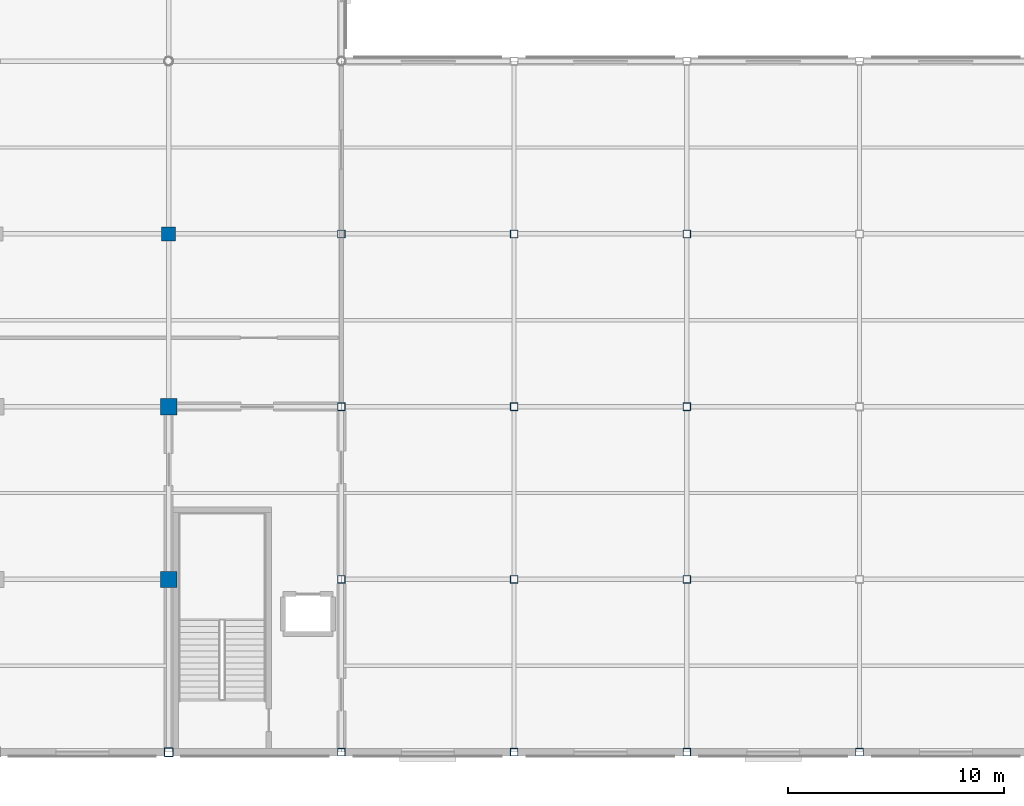
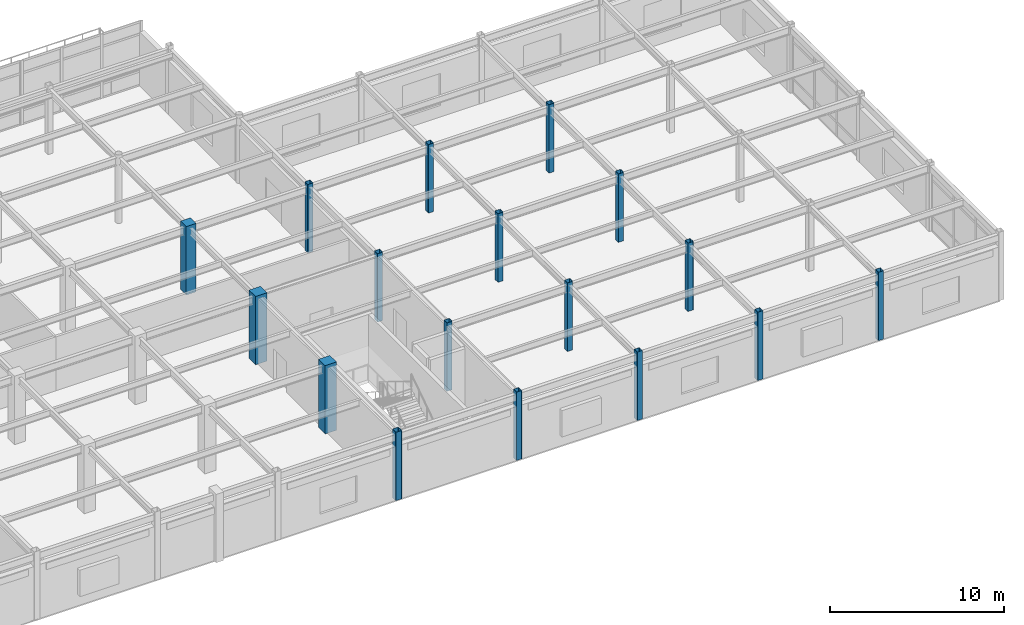
# One storey, part 17 of 117: 17 columns.
"""IFC4 building model written with IfcOpenShell, lengths in metres."""

import ifcopenshell
import ifcopenshell.guid

model = None  # the IFC model being written
_history = None  # IfcOwnerHistory: only IFC2X3 demands one
_inside = {}  # id of a spatial element -> (the spatial element, [elements in it])
_under = {}  # id of a project, library or spatial element -> (it, [spatial elements below it])
_declared = {}  # id of a project -> (the project, [libraries it declares])
_typed = {}  # id of a type object -> (the type object, [elements of that type])
_made_of = {}  # id of a material, layer set ... -> (it, [elements and type objects made of it])


def new_model(schema):
    """Start an empty IFC model of exactly this schema.

    Asked for "IFC4X3", IfcOpenShell would pick the latest addendum, in which some entities
    have other attributes; the version numbers below select the first issue.
    IFC2X3 requires an IfcOwnerHistory on every rooted entity: one is made here for all.
    """
    global model, _history
    if schema == "IFC4X3":
        model = ifcopenshell.file(schema_version=(4, 3, 0, 0))
    else:
        model = ifcopenshell.file(schema=schema)
    _inside.clear()
    _under.clear()
    _declared.clear()
    _typed.clear()
    _made_of.clear()
    _history = None
    if model.schema == "IFC2X3":
        org = make("IfcOrganization", Name="unknown")
        user = make(
            "IfcPersonAndOrganization",
            ThePerson=make("IfcPerson", FamilyName="unknown"),
            TheOrganization=org,
        )
        app = make(
            "IfcApplication",
            ApplicationDeveloper=org,
            Version="unknown",
            ApplicationFullName="unknown",
            ApplicationIdentifier="unknown",
        )
        _history = make(
            "IfcOwnerHistory",
            OwningUser=user,
            OwningApplication=app,
            ChangeAction="ADDED",
            CreationDate=0,
        )
    return model


def make(cls, **values):
    """One entity of the class cls with the attributes given. An attribute that is None is left unset."""
    return model.create_entity(
        cls, **{name: value for name, value in values.items() if value is not None}
    )


def rooted(cls, **values):
    """An entity with a GlobalId (a new one), such as an element, a storey or a relation."""
    return make(cls, GlobalId=ifcopenshell.guid.new(), OwnerHistory=_history, **values)


def si_unit(unit_type, name, prefix=None):
    """IfcSIUnit, for example si_unit("LENGTHUNIT", "METRE", prefix="MILLI")."""
    return make("IfcSIUnit", UnitType=unit_type, Prefix=prefix, Name=name)


def assignment(units):
    """IfcUnitAssignment: the units of a project."""
    return None if units is None else make("IfcUnitAssignment", Units=units)


def point(xyz):
    """IfcCartesianPoint."""
    return None if xyz is None else make("IfcCartesianPoint", Coordinates=xyz)


def direction(xyz):
    """IfcDirection."""
    return None if xyz is None else make("IfcDirection", DirectionRatios=xyz)


def frame(location, z_axis=None, x_axis=None):
    """IfcAxis2Placement3D, a coordinate frame: its origin and axes. An axis left out is left unset."""
    return make(
        "IfcAxis2Placement3D",
        Location=point(location),
        Axis=direction(z_axis),
        RefDirection=direction(x_axis),
    )


def frame_2d(location, x_axis=None):
    """IfcAxis2Placement2D, a coordinate frame in the plane: its origin and x axis."""
    return make(
        "IfcAxis2Placement2D", Location=point(location), RefDirection=direction(x_axis)
    )


def origin():
    """The frame at (0, 0, 0) with its axes left unset."""
    return frame((0.0, 0.0, 0.0))


def origin_2d():
    """The frame at (0, 0) in the plane with its x axis left unset."""
    return frame_2d((0.0, 0.0))


def place(relative_to, where):
    """IfcLocalPlacement: puts the frame where relative to a parent placement (None: the world)."""
    return make(
        "IfcLocalPlacement", PlacementRelTo=relative_to, RelativePlacement=where
    )


def context(
    kind, dimensions, precision=None, world=None, true_north=None, identifier=None
):
    """IfcGeometricRepresentationContext, for example the 3D "Model" context."""
    return make(
        "IfcGeometricRepresentationContext",
        ContextIdentifier=identifier,
        ContextType=kind,
        CoordinateSpaceDimension=dimensions,
        Precision=precision,
        WorldCoordinateSystem=world,
        TrueNorth=true_north,
    )


def subcontext(parent, identifier, kind, view, scale=None):
    """IfcGeometricRepresentationSubContext, for example "Body" below "Model"."""
    return make(
        "IfcGeometricRepresentationSubContext",
        ContextIdentifier=identifier,
        ContextType=kind,
        ParentContext=parent,
        TargetScale=scale,
        TargetView=view,
    )


def project(units=None, contexts=None):
    """IfcProject with its units and contexts."""
    return rooted(
        "IfcProject",
        Name="project",
        RepresentationContexts=contexts,
        UnitsInContext=assignment(units),
    )


def spatial(cls, under=None, at=None, **own):
    """A site, building, storey or space (cls), placed at a placement, below another one or the project."""
    s = rooted(cls, ObjectPlacement=at, **own)
    if under is not None:
        _under.setdefault(under.id(), (under, []))[1].append(s)
    return s


def profile(cls, at=None, kind="AREA", **sizes):
    """A parametric profile (cls). Its sizes go by their IFC names, for example OverallWidth=200.0."""
    return make(cls, ProfileType=kind, Position=at, **sizes)


def rectangle(**sizes):
    """IfcRectangleProfileDef."""
    return profile("IfcRectangleProfileDef", **sizes)


def hollow_rectangle(**sizes):
    """IfcRectangleHollowProfileDef."""
    return profile("IfcRectangleHollowProfileDef", **sizes)


def extrude(swept, where, along, depth):
    """IfcExtrudedAreaSolid: the profile swept, set in the frame where, extruded along a direction by depth."""
    return make(
        "IfcExtrudedAreaSolid",
        SweptArea=swept,
        Position=where,
        ExtrudedDirection=direction(along),
        Depth=depth,
    )


def shape(context_of_items, identifier, shape_type, items):
    """IfcShapeRepresentation: the items that make up one representation, for example the "Body"."""
    return make(
        "IfcShapeRepresentation",
        ContextOfItems=context_of_items,
        RepresentationIdentifier=identifier,
        RepresentationType=shape_type,
        Items=items,
    )


def material(Name=None, Category=None):
    """IfcMaterial."""
    return make("IfcMaterial", Name=Name, Category=Category)


def material_profile(
    of_material, cross_section, Name=None, Category=None, Priority=None
):
    """IfcMaterialProfile: a cross section and its material."""
    return make(
        "IfcMaterialProfile",
        Name=Name,
        Material=of_material,
        Profile=cross_section,
        Priority=Priority,
        Category=Category,
    )


def profile_set(profiles, Name=None, composite=None):
    """IfcMaterialProfileSet."""
    return make(
        "IfcMaterialProfileSet",
        Name=Name,
        MaterialProfiles=profiles,
        CompositeProfile=composite,
    )


def made_of(thing, what):
    """Note that an element or type object is made of a material, layer set ...; save() writes the relation."""
    if what is not None:
        _made_of.setdefault(what.id(), (what, []))[1].append(thing)
    return thing


def type_object(cls, material=None, **own):
    """A type object (cls), such as IfcWallType, which elements share."""
    return made_of(rooted(cls, **own), material)


def element(
    cls,
    number,
    at=None,
    inside=None,
    cuts=None,
    type_object=None,
    material=None,
    context=None,
    identifier="Body",
    shape_type=None,
    held_by="IfcProductDefinitionShape",
    body=None,
    shapes=None,
    **own,
):
    """One element of the class cls, such as IfcWall. Its Tag is "e" and its number.

    at: its placement. inside: the storey or other place that contains it. cuts: it is an
    opening in that element (IfcRelVoidsElement). A single representation is given by context,
    identifier, shape_type and body (its items); several are given by shapes. held_by: the class
    of the entity that holds the representations. save() writes the other relations.
    """
    e = rooted(cls, Tag="e%d" % number, ObjectPlacement=at, **own)
    if body is not None:
        shapes = [shape(context, identifier, shape_type, body)]
    if shapes is not None:
        e.Representation = make(held_by, Representations=shapes)
    if inside is not None:
        _inside.setdefault(inside.id(), (inside, []))[1].append(e)
    if cuts is not None:
        rooted(
            "IfcRelVoidsElement", RelatingBuildingElement=cuts, RelatedOpeningElement=e
        )
    if type_object is not None:
        _typed.setdefault(type_object.id(), (type_object, []))[1].append(e)
    return made_of(e, material)


def aggregate(whole, parts):
    """IfcRelAggregates: a whole, such as a stair, and the parts it consists of."""
    return rooted("IfcRelAggregates", RelatingObject=whole, RelatedObjects=parts)


def save(model, path):
    """Write the relations noted so far, then the file.

    IfcRelAggregates (storeys below a building ...), IfcRelContainedInSpatialStructure (elements
    in a storey), IfcRelDefinesByType, IfcRelAssociatesMaterial and IfcRelDeclares: one each for
    every whole, place, type object, material and project.
    """
    for whole, parts in _under.values():
        aggregate(whole, parts)
    for where, things in _inside.values():
        rooted(
            "IfcRelContainedInSpatialStructure",
            RelatedElements=things,
            RelatingStructure=where,
        )
    for kind, things in _typed.values():
        rooted("IfcRelDefinesByType", RelatedObjects=things, RelatingType=kind)
    for what, things in _made_of.values():
        rooted("IfcRelAssociatesMaterial", RelatedObjects=things, RelatingMaterial=what)
    for by, libraries in _declared.values():
        rooted("IfcRelDeclares", RelatingContext=by, RelatedDefinitions=libraries)
    model.write(path)


model = new_model("IFC4")

# Units and contexts
model_context = context("Model", 3, precision=1e-05, world=origin(), true_north=direction((0.0, 1.0)))
body_context = subcontext(model_context, "Body", "Model", "MODEL_VIEW")
ifc_project = project(units=[si_unit("LENGTHUNIT", "METRE"), si_unit("AREAUNIT", "SQUARE_METRE"), si_unit("VOLUMEUNIT", "CUBIC_METRE"), si_unit("PLANEANGLEUNIT", "RADIAN"), si_unit("MASSUNIT", "GRAM", prefix="KILO")], contexts=[model_context])

# Site, building, storey
site_placement = place(None, origin())
site = spatial("IfcSite", under=ifc_project, at=site_placement, CompositionType="ELEMENT")
building_placement = place(site_placement, origin())
building = spatial("IfcBuilding", under=site, at=building_placement, Name="Solmirada Galleria", CompositionType="ELEMENT")
storey_placement = place(building_placement, frame((0.0, 0.0, 5.60009765625)))
storey = spatial("IfcBuildingStorey", under=building, at=storey_placement, Name="L01", CompositionType="ELEMENT", Elevation=5.60009765625)

# Columns
ifc_material_1 = material(Name="Steel S355 / ASTM A500 Grade C", Category="steel")
ifc_material_profile_1 = material_profile(ifc_material_1, hollow_rectangle(XDim=0.35595703125, YDim=0.35595703125, WallThickness=0.01171875, InnerFilletRadius=0.01171875, OuterFilletRadius=0.023681640625, at=origin_2d()), Name="HSS14X14X1/2")
ifc_profile_set_1 = profile_set([ifc_material_profile_1], Name="Steel S355 / ASTM A500 Grade C")
column_type_1 = type_object("IfcColumnType", Name="COL-HSS14", PredefinedType="COLUMN", material=ifc_profile_set_1)
for number, where, z_axis, x_axis, name in (
    (1, (144.0, 0.0, 0.0), (0.0, 0.0, 1.0), (1.0, 0.0, 0.0), "Structural column L01-1207"),
    (2, (144.0, 8.0, 0.0), (0.0, 0.0, 1.0), (1.0, 0.0, 0.0), "Structural column L01-1212"),
    (3, (144.0, 16.0, 0.0), (0.0, 0.0, 1.0), (1.0, 0.0, 0.0), "Structural column L01-1217"),
    (4, (144.0, 24.0, 0.0), (0.0, 0.0, 1.0), (1.0, 0.0, 0.0), "Structural column L01-1222"),
    (5, (152.0, 0.0, 0.0), (0.0, 0.0, 1.0), (1.0, 0.0, 0.0), "Structural column L01-1293"),
    (6, (152.0, 8.0, 0.0), (0.0, 0.0, 1.0), (1.0, 0.0, 0.0), "Structural column L01-1297"),
    (7, (152.0, 16.0, 0.0), (0.0, 0.0, 1.0), (1.0, 0.0, 0.0), "Structural column L01-1301"),
    (8, (152.0, 24.0, 0.0), (0.0, 0.0, 1.0), (1.0, 0.0, 0.0), "Structural column L01-1305"),
    (9, (160.0, 0.0, 0.0), (0.0, 0.0, 1.0), (1.0, 0.0, 0.0), "Structural column L01-1366"),
    (10, (160.0, 8.0, 0.0), (0.0, 0.0, 1.0), (1.0, 0.0, 0.0), "Structural column L01-1370"),
    (11, (160.0, 16.0, 0.0), (0.0, 0.0, 1.0), (1.0, 0.0, 0.0), "Structural column L01-1374"),
    (12, (160.0, 24.0, 0.0), (0.0, 0.0, 1.0), (1.0, 0.0, 0.0), "Structural column L01-1378"),
    (13, (168.0, 0.0, 0.0), (0.0, 0.0, 1.0), (1.0, 0.0, 0.0), "Structural column L01-1439"),
):
    element("IfcColumn", number, at=place(storey_placement, frame(where, z_axis=z_axis, x_axis=x_axis)), inside=storey, type_object=column_type_1, Name=name, PredefinedType="COLUMN", context=body_context, shape_type="SweptSolid", body=[
        extrude(hollow_rectangle(XDim=0.35595703125, YDim=0.35595703125, WallThickness=0.01171875, InnerFilletRadius=0.01171875, OuterFilletRadius=0.023681640625, at=origin_2d()), origin(), (0.0, 0.0, 1.0), 4.7998046875),
    ])
ifc_material_profile_2 = material_profile(ifc_material_1, hollow_rectangle(XDim=0.406005859375, YDim=0.406005859375, WallThickness=0.0146484375, InnerFilletRadius=0.0146484375, OuterFilletRadius=0.029296875, at=origin_2d()), Name="HSS16X16X5/8")
ifc_profile_set_2 = profile_set([ifc_material_profile_2], Name="Steel S355 / ASTM A500 Grade C")
column_type_2 = type_object("IfcColumnType", Name="COL-HSS16", PredefinedType="COLUMN", material=ifc_profile_set_2)
column_1_placement = place(storey_placement, frame((136.0, 0.0, 0.0), z_axis=(0.0, 0.0, 1.0), x_axis=(1.0, 0.0, 0.0)))
element("IfcColumn", 14, at=column_1_placement, inside=storey, type_object=column_type_2, Name="Structural column L01-1106", PredefinedType="COLUMN", context=body_context, shape_type="SweptSolid", body=[
    extrude(hollow_rectangle(XDim=0.406005859375, YDim=0.406005859375, WallThickness=0.0146484375, InnerFilletRadius=0.0146484375, OuterFilletRadius=0.029296875, at=origin_2d()), origin(), (0.0, 0.0, 1.0), 4.7998046875),
])
ifc_material_2 = material(Name="Concrete C40/50", Category="concrete")
ifc_material_profile_3 = material_profile(ifc_material_2, rectangle(XDim=0.64990234375, YDim=0.64990234375, at=origin_2d()), Name="RC650X650")
ifc_profile_set_3 = profile_set([ifc_material_profile_3], Name="Concrete C40/50")
column_type_3 = type_object("IfcColumnType", Name="COL-RC650", PredefinedType="COLUMN", material=ifc_profile_set_3)
column_2_placement = place(storey_placement, frame((136.0, 24.0, 0.0), z_axis=(0.0, 0.0, 1.0), x_axis=(1.0, 0.0, 0.0)))
element("IfcColumn", 15, at=column_2_placement, inside=storey, type_object=column_type_3, Name="Structural column L01-1130", PredefinedType="COLUMN", context=body_context, shape_type="SweptSolid", body=[
    extrude(rectangle(XDim=0.64990234375, YDim=0.64990234375, at=origin_2d()), origin(), (0.0, 0.0, 1.0), 4.7998046875),
])
ifc_material_profile_4 = material_profile(ifc_material_2, rectangle(XDim=0.75, YDim=0.75, at=origin_2d()), Name="RC750X750")
ifc_profile_set_4 = profile_set([ifc_material_profile_4], Name="Concrete C40/50")
column_type_4 = type_object("IfcColumnType", Name="COL-RC750", PredefinedType="COLUMN", material=ifc_profile_set_4)
for number, where, z_axis, x_axis, name in (
    (16, (136.0, 8.0, 0.0), (0.0, 0.0, 1.0), (1.0, 0.0, 0.0), "Structural column L01-1114"),
    (17, (136.0, 16.0, 0.0), (0.0, 0.0, 1.0), (1.0, 0.0, 0.0), "Structural column L01-1122"),
):
    element("IfcColumn", number, at=place(storey_placement, frame(where, z_axis=z_axis, x_axis=x_axis)), inside=storey, type_object=column_type_4, Name=name, PredefinedType="COLUMN", context=body_context, shape_type="SweptSolid", body=[
        extrude(rectangle(XDim=0.75, YDim=0.75, at=origin_2d()), origin(), (0.0, 0.0, 1.0), 4.7998046875),
    ])

save(model, "model.ifc")
